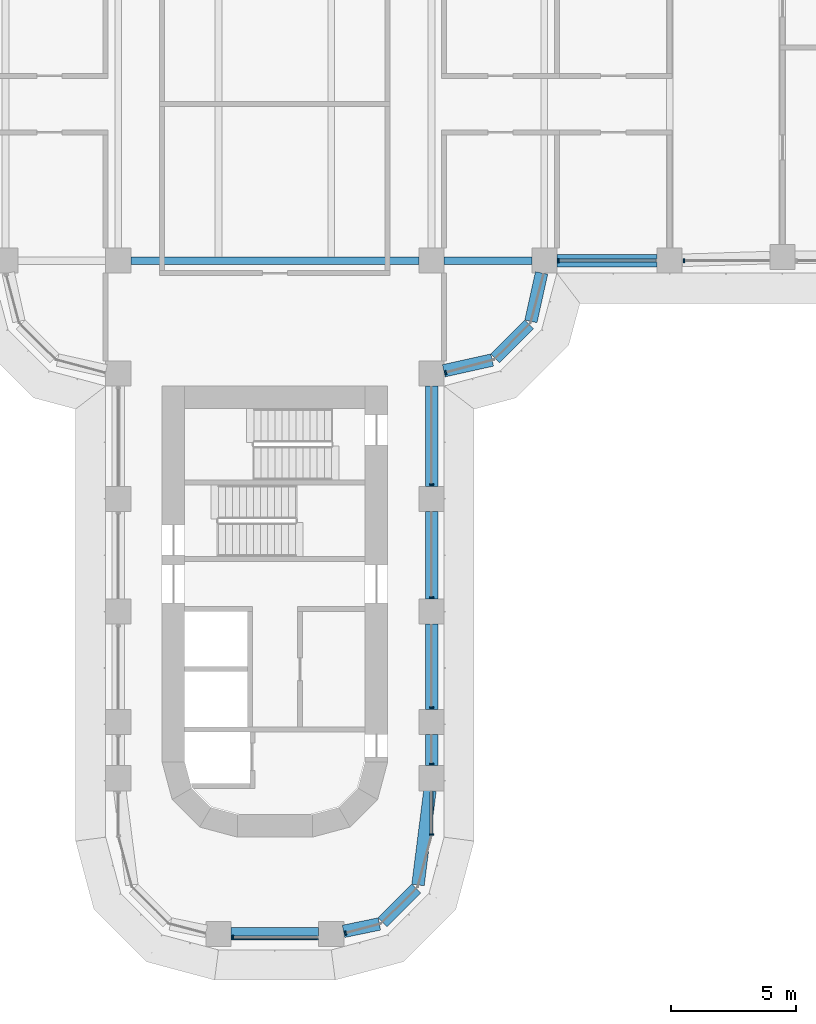
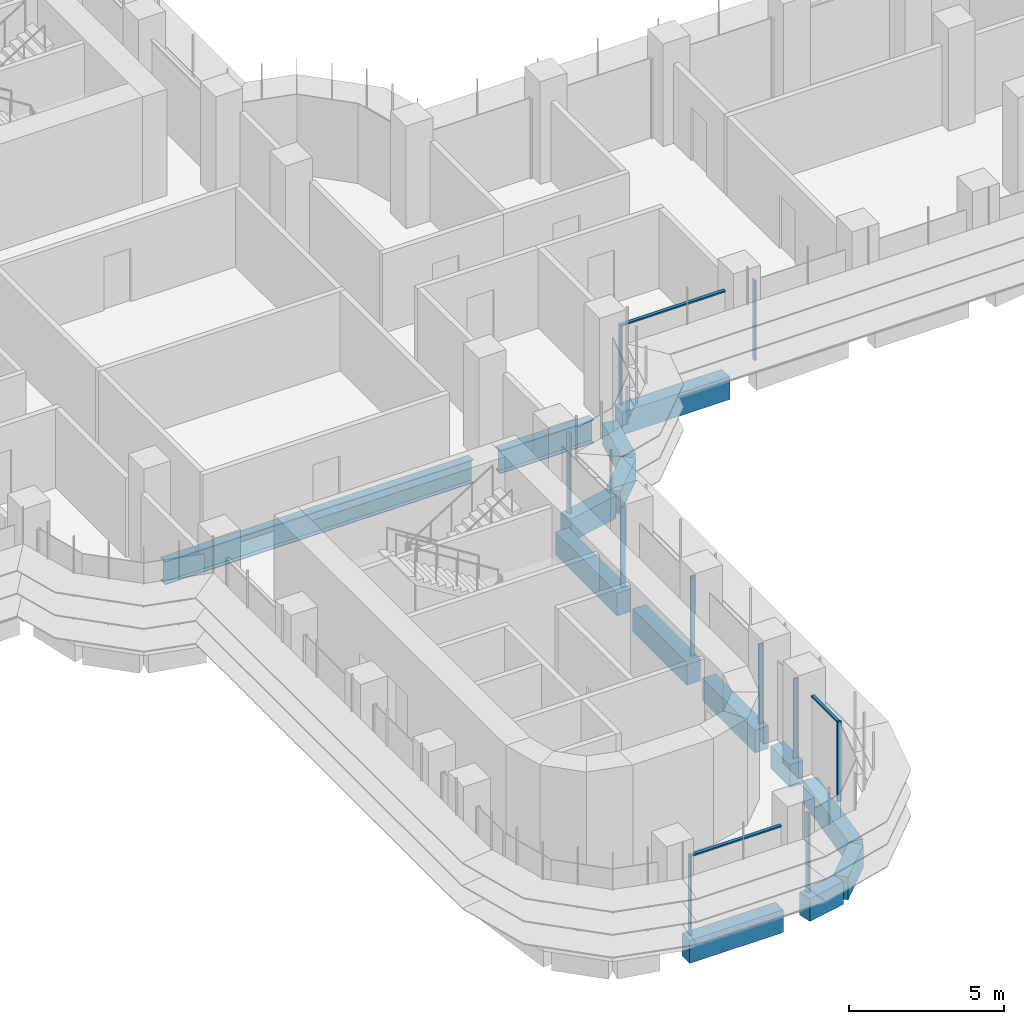
# One storey, part 4 of 23: 14 beams, 13 members, 5 elements without a shape of their own.
"""IFC4 building model written with IfcOpenShell, lengths in metres."""

from ifc_helpers import new_model, si_unit, direction, frame, origin, origin_2d, place, context, subcontext, project, spatial, polyline, rectangle, i_section, outline, extrude, source, transform, mapped, material, material_profile, profile_set, type_object, element, aggregate, save


model = new_model("IFC4")

# Units and contexts
model_context = context("Model", 3, precision=1e-05, world=origin(), true_north=direction((0.0, 1.0)))
body_context = subcontext(model_context, "Body", "Model", "MODEL_VIEW")
ifc_project = project(units=[si_unit("LENGTHUNIT", "METRE"), si_unit("AREAUNIT", "SQUARE_METRE"), si_unit("VOLUMEUNIT", "CUBIC_METRE"), si_unit("PLANEANGLEUNIT", "RADIAN"), si_unit("MASSUNIT", "GRAM", prefix="KILO")], contexts=[model_context])

# Site, building, storey
site_placement = place(None, origin())
site = spatial("IfcSite", under=ifc_project, at=site_placement, CompositionType="ELEMENT")
building_placement = place(site_placement, origin())
building = spatial("IfcBuilding", under=site, at=building_placement, Name="Zarbagh Exchange Tower", CompositionType="ELEMENT")
storey_placement = place(building_placement, frame((0.0, 0.0, 43.800048828125)))
storey = spatial("IfcBuildingStorey", under=building, at=storey_placement, Name="L09", CompositionType="ELEMENT", Elevation=43.800048828125)

# Beams
ifc_material_1 = material(Name="Steel ASTM A992 Gr 50", Category="steel")
ifc_material_profile_1 = material_profile(ifc_material_1, i_section(OverallWidth=0.3046875, OverallDepth=0.91943359375, WebThickness=0.017333984375, FlangeThickness=0.02783203125, at=origin_2d()), Name="W36X170")
ifc_profile_set_1 = profile_set([ifc_material_profile_1], Name="Steel ASTM A992 Gr 50")
beam_type_1 = type_object("IfcBeamType", Name="Floor girder W36X170", PredefinedType="BEAM", material=ifc_profile_set_1)
beam_1_placement = place(storey_placement, frame((-5.75, -6.25, -0.60986328125), z_axis=(1.0, 0.0, 0.0), x_axis=(0.0, 1.0, 0.0)))
element("IfcBeam", 1, at=beam_1_placement, inside=storey, type_object=beam_type_1, Name="Steel girder", PredefinedType="BEAM", context=body_context, shape_type="SweptSolid", body=[
    extrude(i_section(OverallWidth=0.3046875, OverallDepth=0.91943359375, WebThickness=0.017333984375, FlangeThickness=0.02783203125, at=origin_2d()), origin(), (0.0, 0.0, 1.0), 11.5),
])
beam_2_placement = place(storey_placement, frame((6.75, -6.25, -0.60986328125), z_axis=(1.0, 0.0, 0.0), x_axis=(0.0, 1.0, 0.0)))
element("IfcBeam", 2, at=beam_2_placement, inside=storey, type_object=beam_type_1, Name="Steel girder", PredefinedType="BEAM", context=body_context, shape_type="SweptSolid", body=[
    extrude(i_section(OverallWidth=0.3046875, OverallDepth=0.91943359375, WebThickness=0.017333984375, FlangeThickness=0.02783203125, at=origin_2d()), origin(), (0.0, 0.0, 1.0), 3.5),
])
ifc_material_2 = material(Name="Concrete C60/75", Category="concrete")
ifc_material_profile_2 = material_profile(ifc_material_2, rectangle(XDim=0.5, YDim=0.89990234375, at=origin_2d()), Name="RC spandrel beam 500 x 900 C60/75")
ifc_profile_set_2 = profile_set([ifc_material_profile_2], Name="Concrete C60/75")
beam_type_2 = type_object("IfcBeamType", Name="RC spandrel beam 500 x 900 C60/75", PredefinedType="SPANDREL", material=ifc_profile_set_2)
beam_3_placement = place(storey_placement, frame((15.25, -6.25, -0.60009765625), z_axis=(-1.0, 0.0, 0.0), x_axis=(0.0, -1.0, 0.0)))
element("IfcBeam", 3, at=beam_3_placement, inside=storey, type_object=beam_type_2, Name="RC spandrel beam", PredefinedType="SPANDREL", context=body_context, shape_type="SweptSolid", body=[
    extrude(rectangle(XDim=0.5, YDim=0.89990234375, at=origin_2d()), origin(), (0.0, 0.0, 1.0), 4.0),
])
beam_4_placement = place(storey_placement, frame((10.64208984375, -6.73828125, -0.60009765625), z_axis=(-0.216081063242, -0.976375426825, 0.0), x_axis=(0.976375426825, -0.216081063242, 0.0)))
element("IfcBeam", 4, at=beam_4_placement, inside=storey, type_object=beam_type_2, Name="RC spandrel beam", PredefinedType="SPANDREL", context=body_context, shape_type="SweptSolid", body=[
    extrude(rectangle(XDim=0.5, YDim=0.89990234375, at=origin_2d()), origin(), (0.0, 0.0, 1.0), 1.978271484375),
])
beam_5_placement = place(storey_placement, frame((10.147216796875, -8.792724609375, -0.60009765625), z_axis=(-0.707106781187, -0.707106781187, 0.0), x_axis=(0.707106781187, -0.707106781187, 0.0)))
element("IfcBeam", 5, at=beam_5_placement, inside=storey, type_object=beam_type_2, Name="RC spandrel beam", PredefinedType="SPANDREL", context=body_context, shape_type="SweptSolid", body=[
    extrude(rectangle(XDim=0.5, YDim=0.89990234375, at=origin_2d()), origin(), (0.0, 0.0, 1.0), 1.91552734375),
])
beam_6_placement = place(storey_placement, frame((8.669921875, -10.214599609375, -0.60009765625), z_axis=(-0.976375426825, -0.216081063242, 0.0), x_axis=(0.216081063242, -0.976375426825, 0.0)))
element("IfcBeam", 6, at=beam_6_placement, inside=storey, type_object=beam_type_2, Name="RC spandrel beam", PredefinedType="SPANDREL", context=body_context, shape_type="SweptSolid", body=[
    extrude(rectangle(XDim=0.5, YDim=0.89990234375, at=origin_2d()), origin(), (0.0, 0.0, 1.0), 1.978271484375),
])
beam_7_placement = place(storey_placement, frame((6.25, -11.25, -0.60009765625), z_axis=(0.0, -1.0, 0.0), x_axis=(1.0, 0.0, 0.0)))
element("IfcBeam", 7, at=beam_7_placement, inside=storey, type_object=beam_type_2, Name="RC spandrel beam", PredefinedType="SPANDREL", context=body_context, shape_type="SweptSolid", body=[
    extrude(rectangle(XDim=0.5, YDim=0.89990234375, at=origin_2d()), origin(), (0.0, 0.0, 1.0), 4.0),
])
beam_8_placement = place(storey_placement, frame((6.25, -16.25, -0.60009765625), z_axis=(0.0, -1.0, 0.0), x_axis=(1.0, 0.0, 0.0)))
element("IfcBeam", 8, at=beam_8_placement, inside=storey, type_object=beam_type_2, Name="RC spandrel beam", PredefinedType="SPANDREL", context=body_context, shape_type="SweptSolid", body=[
    extrude(rectangle(XDim=0.5, YDim=0.89990234375, at=origin_2d()), origin(), (0.0, 0.0, 1.0), 3.5),
])
beam_9_placement = place(storey_placement, frame((6.25, -20.75, -0.60009765625), z_axis=(0.0, -1.0, 0.0), x_axis=(1.0, 0.0, 0.0)))
element("IfcBeam", 9, at=beam_9_placement, inside=storey, type_object=beam_type_2, Name="RC spandrel beam", PredefinedType="SPANDREL", context=body_context, shape_type="SweptSolid", body=[
    extrude(rectangle(XDim=0.5, YDim=0.89990234375, at=origin_2d()), origin(), (0.0, 0.0, 1.0), 3.39990234375),
])
beam_10_placement = place(storey_placement, frame((6.25, -25.14990234375, -0.60009765625), z_axis=(0.0, -1.0, 0.0), x_axis=(1.0, 0.0, 0.0)))
element("IfcBeam", 10, at=beam_10_placement, inside=storey, type_object=beam_type_2, Name="RC spandrel beam", PredefinedType="SPANDREL", context=body_context, shape_type="SweptSolid", body=[
    extrude(rectangle(XDim=0.5, YDim=0.89990234375, at=origin_2d()), origin(), (0.0, 0.0, 1.0), 1.25),
])
beam_11_placement = place(storey_placement, frame((6.18701171875, -27.39599609375, -0.60009765625), z_axis=(-0.12591317752, -0.992041265133, 0.0), x_axis=(0.992041265133, -0.12591317752, 0.0)))
element("IfcBeam", 11, at=beam_11_placement, inside=storey, type_object=beam_type_2, Name="RC spandrel beam", PredefinedType="SPANDREL", context=body_context, shape_type="SweptSolid", body=[
    extrude(rectangle(XDim=0.5, YDim=0.89990234375, at=origin_2d()), origin(), (0.0, 0.0, 1.0), 3.790771484375),
])
beam_12_placement = place(storey_placement, frame((5.638427734375, -31.301513671875, -0.60009765625), z_axis=(-0.707042571718, -0.707170984825, 0.0), x_axis=(0.707170984825, -0.707042571718, 0.0)))
element("IfcBeam", 12, at=beam_12_placement, inside=storey, type_object=beam_type_2, Name="RC spandrel beam", PredefinedType="SPANDREL", context=body_context, shape_type="SweptSolid", body=[
    extrude(rectangle(XDim=0.5, YDim=0.89990234375, at=origin_2d()), origin(), (0.0, 0.0, 1.0), 1.901123046875),
])
beam_13_placement = place(storey_placement, frame((4.16796875, -32.714111328125, -0.60009765625), z_axis=(-0.9793713725, -0.202068589164, 0.0), x_axis=(0.202068589164, -0.9793713725, 0.0)))
element("IfcBeam", 13, at=beam_13_placement, inside=storey, type_object=beam_type_2, Name="RC spandrel beam", PredefinedType="SPANDREL", context=body_context, shape_type="SweptSolid", body=[
    extrude(rectangle(XDim=0.5, YDim=0.89990234375, at=origin_2d()), origin(), (0.0, 0.0, 1.0), 1.458251953125),
])
beam_14_placement = place(storey_placement, frame((1.75, -33.110107421875, -0.60009765625), z_axis=(-1.0, 0.0, 0.0), x_axis=(0.0, -1.0, 0.0)))
element("IfcBeam", 14, at=beam_14_placement, inside=storey, type_object=beam_type_2, Name="RC spandrel beam", PredefinedType="SPANDREL", context=body_context, shape_type="SweptSolid", body=[
    extrude(rectangle(XDim=0.5, YDim=0.89990234375, at=origin_2d()), origin(), (0.0, 0.0, 1.0), 3.5),
])

# Curtain wall, member
ifc_material_3 = material(Name="Anodised aluminium frame and glazing", Category="aluminium")
curtain_wall_type = type_object("IfcCurtainWallType", Name="CWA Ribbon glazing, lower zones", PredefinedType="NOTDEFINED", material=ifc_material_3)
curtain_wall_1_placement = place(storey_placement, origin())
curtain_wall_1 = element("IfcCurtainWall", 15, at=curtain_wall_1_placement, inside=storey, type_object=curtain_wall_type, Name="CWA01 curtain wall", PredefinedType="NOTDEFINED")
ifc_material_4 = material(Name="Anodised aluminium frame", Category="aluminium")
member_type_1 = type_object("IfcMemberType", Name="MUA Mullion, anodised aluminium frame", PredefinedType="MULLION", material=ifc_material_4)
shared_shape_1 = source(origin(), body_context, "Body", "SweptSolid", [
    extrude(outline(polyline([(0.0, -0.080078125), (0.06005859375, -0.080078125), (0.06005859375, 0.080078125), (0.0, 0.080078125), (0.0, -0.080078125)])), origin(), (0.0, 0.0, 1.0), 3.14990234375),
])
placement = place(storey_placement, origin())
member_1 = element("IfcMember", 16, at=placement, type_object=member_type_1, Name="CWA01 mullion 1.1", PredefinedType="MULLION", context=body_context, shape_type="MappedRepresentation", body=[
    mapped(shared_shape_1, transform((2.7900390625, -33.087646484375, 0.0), x_axis=(0.965924289636, 0.258824779902, 0.0), y_axis=(-0.258824779902, 0.965924289636, 0.0), z_axis=(0.0, 0.0, 1.0))),
])
aggregate(curtain_wall_1, [member_1])

# Curtain wall, members
curtain_wall_2_placement = place(storey_placement, origin())
curtain_wall_2 = element("IfcCurtainWall", 17, at=curtain_wall_2_placement, inside=storey, type_object=curtain_wall_type, Name="CWA04 curtain wall", PredefinedType="NOTDEFINED")
member_2 = element("IfcMember", 18, at=placement, type_object=member_type_1, Name="CWA04 mullion 1.1", PredefinedType="MULLION", context=body_context, shape_type="MappedRepresentation", body=[
    mapped(shared_shape_1, transform((6.25, -29.18408203125, 0.0), x_axis=(0.0, 1.0, 0.0), y_axis=(-1.0, 0.0, 0.0), z_axis=(0.0, 0.0, 1.0))),
])
member_3 = element("IfcMember", 19, at=placement, type_object=member_type_1, Name="CWA04 mullion 2.1", PredefinedType="MULLION", context=body_context, shape_type="MappedRepresentation", body=[
    mapped(shared_shape_1, transform((6.25, -26.35986328125, 0.0), x_axis=(0.0, 1.0, 0.0), y_axis=(-1.0, 0.0, 0.0), z_axis=(0.0, 0.0, 1.0))),
])
member_4 = element("IfcMember", 20, at=placement, type_object=member_type_1, Name="CWA04 mullion 3.1", PredefinedType="MULLION", context=body_context, shape_type="MappedRepresentation", body=[
    mapped(shared_shape_1, transform((6.25, -24.10986328125, 0.0), x_axis=(0.0, 1.0, 0.0), y_axis=(-1.0, 0.0, 0.0), z_axis=(0.0, 0.0, 1.0))),
])
member_5 = element("IfcMember", 21, at=placement, type_object=member_type_1, Name="CWA04 mullion 4.1", PredefinedType="MULLION", context=body_context, shape_type="MappedRepresentation", body=[
    mapped(shared_shape_1, transform((6.25, -19.7099609375, 0.0), x_axis=(0.0, 1.0, 0.0), y_axis=(-1.0, 0.0, 0.0), z_axis=(0.0, 0.0, 1.0))),
])
member_6 = element("IfcMember", 22, at=placement, type_object=member_type_1, Name="CWA04 mullion 5.1", PredefinedType="MULLION", context=body_context, shape_type="MappedRepresentation", body=[
    mapped(shared_shape_1, transform((6.25, -15.2099609375, 0.0), x_axis=(0.0, 1.0, 0.0), y_axis=(-1.0, 0.0, 0.0), z_axis=(0.0, 0.0, 1.0))),
])

# Curtain wall, member
curtain_wall_3_placement = place(storey_placement, origin())
curtain_wall_3 = element("IfcCurtainWall", 23, at=curtain_wall_3_placement, inside=storey, type_object=curtain_wall_type, Name="CWA05 curtain wall", PredefinedType="NOTDEFINED")
member_7 = element("IfcMember", 24, at=placement, type_object=member_type_1, Name="CWA05 mullion 1.1", PredefinedType="MULLION", context=body_context, shape_type="MappedRepresentation", body=[
    mapped(shared_shape_1, transform((6.7900390625, -10.7216796875, 0.0), x_axis=(0.965924289636, 0.258824779902, 0.0), y_axis=(-0.258824779902, 0.965924289636, 0.0), z_axis=(0.0, 0.0, 1.0))),
])
aggregate(curtain_wall_3, [member_7])

# Curtain wall, members
curtain_wall_4_placement = place(storey_placement, origin())
curtain_wall_4 = element("IfcCurtainWall", 25, at=curtain_wall_4_placement, inside=storey, type_object=curtain_wall_type, Name="CWA08 curtain wall", PredefinedType="NOTDEFINED")
member_8 = element("IfcMember", 26, at=placement, type_object=member_type_1, Name="CWA08 mullion 1.1", PredefinedType="MULLION", context=body_context, shape_type="MappedRepresentation", body=[
    mapped(shared_shape_1, transform((11.2900390625, -6.25, 0.0), x_axis=(1.0, 0.0, 0.0), y_axis=(0.0, 1.0, 0.0), z_axis=(0.0, 0.0, 1.0))),
])
member_9 = element("IfcMember", 27, at=placement, type_object=member_type_1, Name="CWA08 mullion 2.1", PredefinedType="MULLION", context=body_context, shape_type="MappedRepresentation", body=[
    mapped(shared_shape_1, transform((16.2900390625, -6.25, 0.0), x_axis=(1.0, 0.0, 0.0), y_axis=(0.0, 1.0, 0.0), z_axis=(0.0, 0.0, 1.0))),
])

# Curtain wall, member
curtain_wall_5_placement = place(storey_placement, origin())
curtain_wall_5 = element("IfcCurtainWall", 28, at=curtain_wall_5_placement, inside=storey, type_object=curtain_wall_type, Name="CWA48 curtain wall", PredefinedType="NOTDEFINED")
member_10 = element("IfcMember", 29, at=placement, type_object=member_type_1, Name="CWA48 mullion 1.1", PredefinedType="MULLION", context=body_context, shape_type="MappedRepresentation", body=[
    mapped(shared_shape_1, transform((-1.7099609375, -33.25, 0.0), x_axis=(1.0, 0.0, 0.0), y_axis=(0.0, 1.0, 0.0), z_axis=(0.0, 0.0, 1.0))),
])

# Member
member_type_2 = type_object("IfcMemberType", Name="TRA Transom, anodised aluminium frame", PredefinedType="USERDEFINED", material=ifc_material_4)
shared_shape_2 = source(origin(), body_context, "Body", "SweptSolid", [
    extrude(outline(polyline([(-0.06005859375, -0.06005859375), (0.0, -0.06005859375), (0.0, 0.06005859375), (-0.06005859375, 0.06005859375), (-0.06005859375, -0.06005859375)])), origin(), (0.0, 0.0, 1.0), 1.68408203125),
])
member_11 = element("IfcMember", 30, at=placement, type_object=member_type_2, Name="CWA04 transom 1.1", ObjectType="TRANSOM", PredefinedType="USERDEFINED", context=body_context, shape_type="MappedRepresentation", body=[
    mapped(shared_shape_2, transform((6.25, -29.124267578125, 3.14990234375), x_axis=(0.0, 0.0, 1.0), y_axis=(1.0, 0.0, 0.0), z_axis=(0.0, 1.0, 0.0))),
])

aggregate(curtain_wall_2, [member_2, member_11, member_3, member_4, member_5, member_6])

shared_shape_3 = source(origin(), body_context, "Body", "SweptSolid", [
    extrude(outline(polyline([(-0.06005859375, -0.06005859375), (0.0, -0.06005859375), (0.0, 0.06005859375), (-0.06005859375, 0.06005859375), (-0.06005859375, -0.06005859375)])), origin(), (0.0, 0.0, 1.0), 3.860107421875),
])
member_12 = element("IfcMember", 31, at=placement, type_object=member_type_2, Name="CWA08 transom 1.1", ObjectType="TRANSOM", PredefinedType="USERDEFINED", context=body_context, shape_type="MappedRepresentation", body=[
    mapped(shared_shape_3, transform((11.35009765625, -6.25, 3.14990234375), x_axis=(0.0, 0.0, 1.0), y_axis=(0.0, -1.0, 0.0), z_axis=(1.0, 0.0, 0.0))),
])

aggregate(curtain_wall_4, [member_8, member_12, member_9])

shared_shape_4 = source(origin(), body_context, "Body", "SweptSolid", [
    extrude(outline(polyline([(-0.06005859375, -0.06005859375), (0.0, -0.06005859375), (0.0, 0.06005859375), (-0.06005859375, 0.06005859375), (-0.06005859375, -0.06005859375)])), origin(), (0.0, 0.0, 1.0), 3.360107421875),
])
member_13 = element("IfcMember", 32, at=placement, type_object=member_type_2, Name="CWA48 transom 1.1", ObjectType="TRANSOM", PredefinedType="USERDEFINED", context=body_context, shape_type="MappedRepresentation", body=[
    mapped(shared_shape_4, transform((-1.64990234375, -33.25, 3.14990234375), x_axis=(0.0, 0.0, 1.0), y_axis=(0.0, -1.0, 0.0), z_axis=(1.0, 0.0, 0.0))),
])

aggregate(curtain_wall_5, [member_10, member_13])

save(model, "model.ifc")
